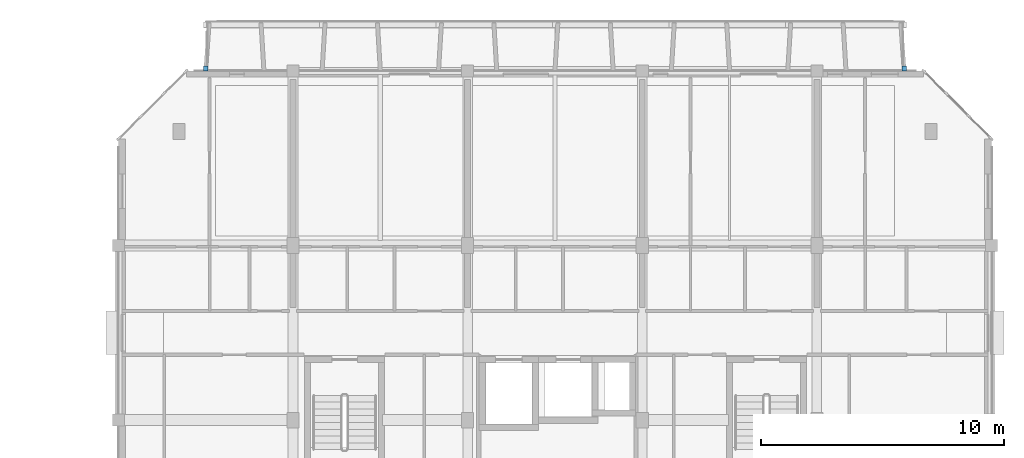
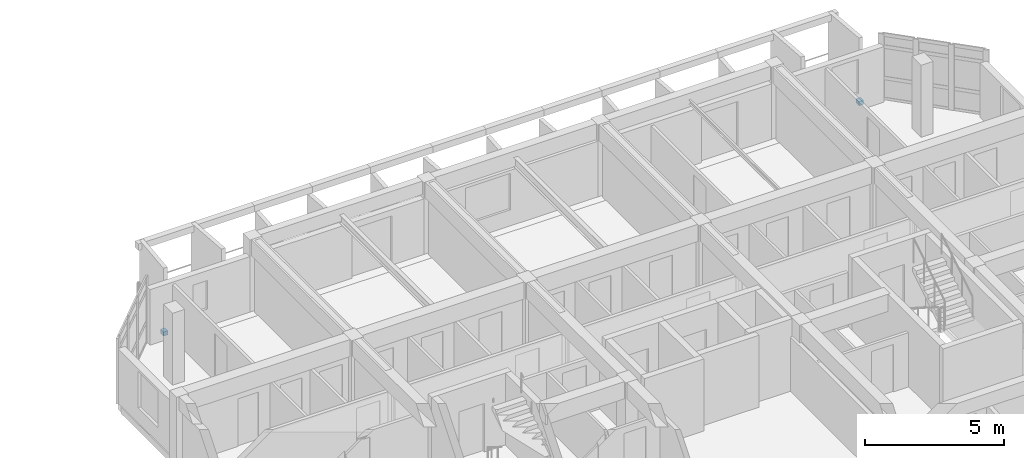
# One storey, part 34 of 45: 2 discrete accessories.
"""IFC4 building model written with IfcOpenShell, lengths in metres."""

from ifc_helpers import new_model, si_unit, direction, frame, origin, origin_2d, place, context, subcontext, project, spatial, rectangle, extrude, material, type_object, element, save


model = new_model("IFC4")

# Units and contexts
model_context = context("Model", 3, precision=1e-05, world=origin(), true_north=direction((0.0, 1.0)))
body_context = subcontext(model_context, "Body", "Model", "MODEL_VIEW")
ifc_project = project(units=[si_unit("LENGTHUNIT", "METRE"), si_unit("AREAUNIT", "SQUARE_METRE"), si_unit("VOLUMEUNIT", "CUBIC_METRE"), si_unit("PLANEANGLEUNIT", "RADIAN"), si_unit("MASSUNIT", "GRAM", prefix="KILO")], contexts=[model_context])

# Site, building, storey
site_placement = place(None, origin())
site = spatial("IfcSite", under=ifc_project, at=site_placement, CompositionType="ELEMENT")
building_placement = place(site_placement, origin())
building = spatial("IfcBuilding", under=site, at=building_placement, Name="Ochrevale Crest", CompositionType="ELEMENT")
storey_placement = place(building_placement, frame((0.0, 0.0, 18.14990234375)))
storey = spatial("IfcBuildingStorey", under=building, at=storey_placement, Name="L05", CompositionType="ELEMENT", Elevation=18.14990234375)

# Discrete accessories
ifc_material = material(Name="Galvanised steel", Category="steel")
discrete_accessory_type = type_object("IfcDiscreteAccessoryType", Name="ACC-BRK-HC", PredefinedType="BRACKET", material=ifc_material)
for number, where, z_axis, x_axis, name in (
    (1, (133.199951171875, 93.699951171875, 0.0), (0.0, 0.0, 1.0), (1.0, 0.0, 0.0), "Block D L05 precast loggia corbel bracket"),
    (2, (162.0, 93.699951171875, 0.0), (0.0, 0.0, 1.0), (1.0, 0.0, 0.0), "Block D L05 precast loggia corbel bracket"),
):
    element("IfcDiscreteAccessory", number, at=place(storey_placement, frame(where, z_axis=z_axis, x_axis=x_axis)), inside=storey, type_object=discrete_accessory_type, Name=name, PredefinedType="BRACKET", context=body_context, shape_type="SweptSolid", body=[
        extrude(rectangle(XDim=0.179931640625, YDim=0.219970703125, at=origin_2d()), origin(), (0.0, 0.0, 1.0), 0.179931640625),
    ])

save(model, "model.ifc")
